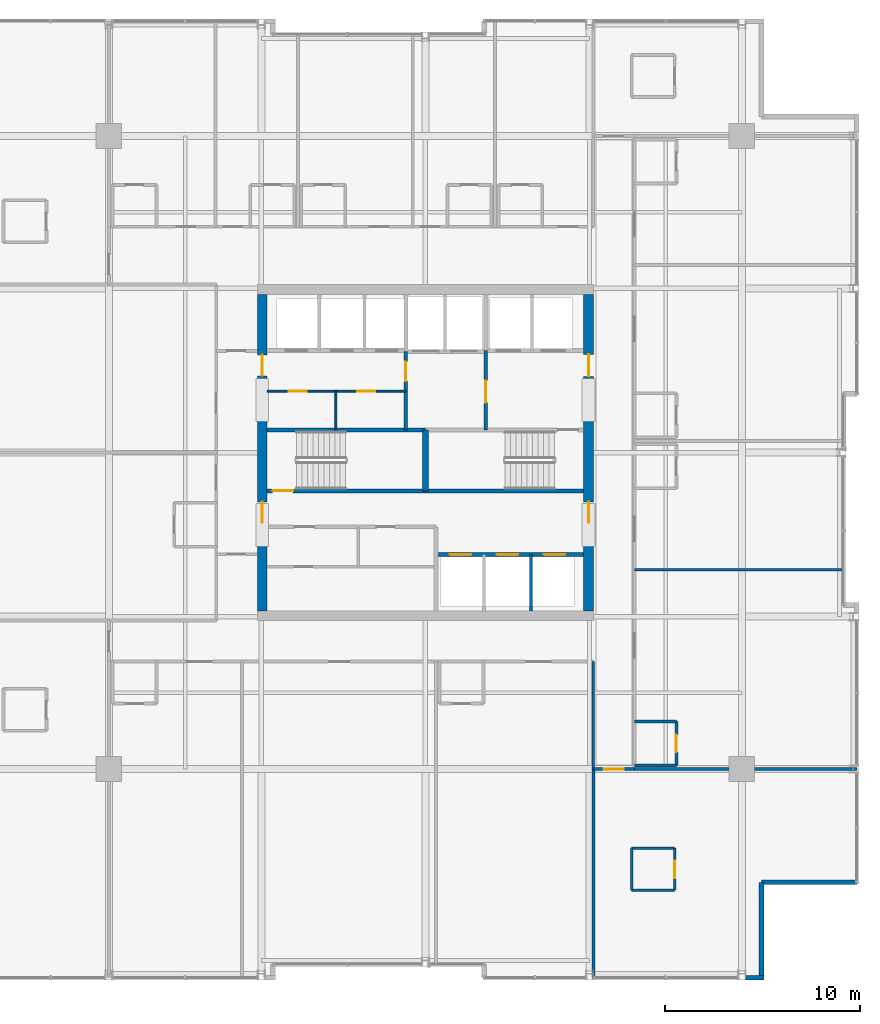
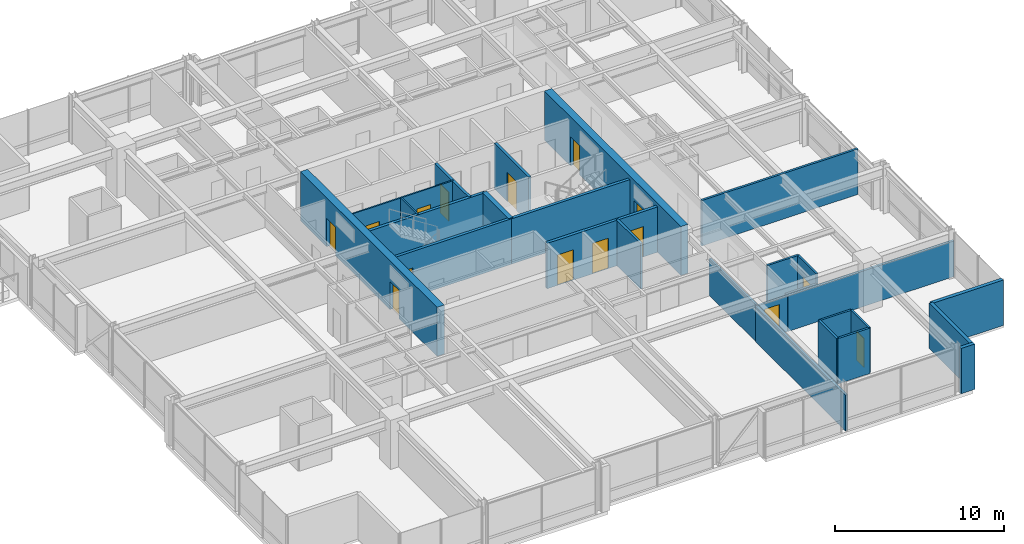
# One storey, part 26 of 32: 27 walls, 15 doors, 15 openings.
"""IFC4 building model written with IfcOpenShell, lengths in metres."""

from ifc_helpers import new_model, si_unit, direction, frame, frame_2d, origin, place, context, subcontext, project, spatial, rectangle, extrude, material, layer, layer_set, type_object, element, fill, save


model = new_model("IFC4")

# Units and contexts
model_context = context("Model", 3, precision=1e-05, world=origin(), true_north=direction((0.0, 1.0)))
body_context = subcontext(model_context, "Body", "Model", "MODEL_VIEW")
ifc_project = project(units=[si_unit("LENGTHUNIT", "METRE"), si_unit("AREAUNIT", "SQUARE_METRE"), si_unit("VOLUMEUNIT", "CUBIC_METRE"), si_unit("PLANEANGLEUNIT", "RADIAN"), si_unit("MASSUNIT", "GRAM", prefix="KILO")], contexts=[model_context])

# Site, building, storey
site_placement = place(None, origin())
site = spatial("IfcSite", under=ifc_project, at=site_placement, CompositionType="ELEMENT")
building_placement = place(site_placement, origin())
building = spatial("IfcBuilding", under=site, at=building_placement, Name="Drelvath Grand Hotel", CompositionType="ELEMENT")
storey_placement = place(building_placement, frame((0.0, 0.0, 182.35009765625)))
storey = spatial("IfcBuildingStorey", under=building, at=storey_placement, Name="L47", CompositionType="ELEMENT", Elevation=182.35009765625)

# Wall, openings, doors
ifc_material_1 = material(Name="Gypsum Partition Board")
ifc_layer_1 = layer(ifc_material_1, 0.10009765625)
ifc_layer_set_1 = layer_set([ifc_layer_1], Name="Gypsum Partition Board")
wall_type_1 = type_object("IfcWallType", Name="Core Closet Partition 100", PredefinedType="PARTITIONING", material=ifc_layer_set_1)
wall_1_placement = place(storey_placement, frame((-8.10009765625, 30.139892578125, 0.0), z_axis=(0.0, 0.0, 1.0), x_axis=(1.0, 0.0, 0.0)))
wall_1 = element("IfcWall", 1, at=wall_1_placement, inside=storey, type_object=wall_type_1, Name="L47 High-Rise Lobby Closet Wall", PredefinedType="PARTITIONING", context=body_context, shape_type="SweptSolid", body=[
    extrude(rectangle(XDim=7.10009765625, YDim=0.10009765625, at=frame_2d((3.550048828125, 0.0))), origin(), (0.0, 0.0, 1.0), 3.289794921875),
])
opening_1_placement = place(wall_1_placement, frame((1.10009765625, 0.0, 0.0)))
opening_1 = element("IfcOpeningElement", 2, at=opening_1_placement, cuts=wall_1, Name="Opening D-T3G4-014", PredefinedType="OPENING", context=body_context, shape_type="SweptSolid", body=[
    extrude(rectangle(XDim=0.919921875, YDim=2.10009765625, at=frame_2d((0.4599609375, 1.050048828125))), frame((0.0, 0.06005859375, 0.0), z_axis=(0.0, -1.0, 0.0), x_axis=(1.0, 0.0, 0.0)), (0.0, 0.0, 1.0), 0.1201171875),
])
opening_2_placement = place(wall_1_placement, frame((4.60009765625, 0.0, 0.0)))
opening_2 = element("IfcOpeningElement", 3, at=opening_2_placement, cuts=wall_1, Name="Opening D-T3G4-015", PredefinedType="OPENING", context=body_context, shape_type="SweptSolid", body=[
    extrude(rectangle(XDim=0.919921875, YDim=2.10009765625, at=frame_2d((0.4599609375, 1.050048828125))), frame((0.0, 0.06005859375, 0.0), z_axis=(0.0, -1.0, 0.0), x_axis=(1.0, 0.0, 0.0)), (0.0, 0.0, 1.0), 0.1201171875),
])
ifc_material_2 = material(Name="Painted Steel S275", Category="steel")
door_type_1 = type_object("IfcDoorType", Name="Staff Utility Door 920x2100", OperationType="NOTDEFINED", PredefinedType="DOOR", material=ifc_material_2)
door_1_placement = place(opening_1_placement, origin())
door_1 = element("IfcDoor", 4, at=door_1_placement, inside=storey, type_object=door_type_1, Name="L47 Electrical Closet Door", OperationType="SINGLE_SWING_LEFT", OverallHeight=2.10009765625, OverallWidth=0.919921875, PredefinedType="DOOR", context=body_context, shape_type="SweptSolid", body=[
    extrude(rectangle(XDim=0.919921875, YDim=2.10009765625, at=frame_2d((0.4599609375, 1.050048828125))), frame((0.0, 0.02490234375, 0.0), z_axis=(0.0, -1.0, 0.0), x_axis=(1.0, 0.0, 0.0)), (0.0, 0.0, 1.0), 0.050048828125),
])
fill(opening_1, door_1)
door_2_placement = place(opening_2_placement, origin())
door_2 = element("IfcDoor", 5, at=door_2_placement, inside=storey, type_object=door_type_1, Name="L47 Telecom Room Door", OperationType="SINGLE_SWING_RIGHT", OverallHeight=2.10009765625, OverallWidth=0.919921875, PredefinedType="DOOR", context=body_context, shape_type="SweptSolid", body=[
    extrude(rectangle(XDim=0.919921875, YDim=2.10009765625, at=frame_2d((0.4599609375, 1.050048828125))), frame((0.0, 0.02490234375, 0.0), z_axis=(0.0, -1.0, 0.0), x_axis=(1.0, 0.0, 0.0)), (0.0, 0.0, 1.0), 0.050048828125),
])
fill(opening_2, door_2)

# Wall
wall_2_placement = place(storey_placement, frame((-4.580078125, 28.159912109375, 0.0), z_axis=(0.0, 0.0, 1.0), x_axis=(0.0, 1.0, 0.0)))
element("IfcWall", 6, at=wall_2_placement, inside=storey, type_object=wall_type_1, Name="L47 Core Closet Split 1", PredefinedType="PARTITIONING", context=body_context, shape_type="SweptSolid", body=[
    extrude(rectangle(XDim=1.97998046875, YDim=0.10009765625, at=frame_2d((0.989990234375, 0.0))), origin(), (0.0, 0.0, 1.0), 3.289794921875),
])

# Wall, openings, doors
ifc_material_3 = material(Name="Concrete C40/50", Category="concrete")
ifc_layer_2 = layer(ifc_material_3, 0.199951171875)
ifc_layer_set_2 = layer_set([ifc_layer_2], Name="Concrete C40/50")
wall_type_2 = type_object("IfcWallType", Name="Core Hoistway Fire Wall 200", PredefinedType="SOLIDWALL", material=ifc_layer_set_2)
wall_3_placement = place(storey_placement, frame((8.10009765625, 21.780029296875, 0.0), z_axis=(0.0, 0.0, 1.0), x_axis=(-1.0, 0.0, 0.0)))
wall_3 = element("IfcWall", 7, at=wall_3_placement, inside=storey, type_object=wall_type_2, Name="L47 Bank 2 Hoistway Wall", PredefinedType="SOLIDWALL", context=body_context, shape_type="SweptSolid", body=[
    extrude(rectangle(XDim=7.550048828125, YDim=0.199951171875, at=frame_2d((3.77490234375, 0.0))), origin(), (0.0, 0.0, 1.0), 3.289794921875),
])
opening_3_placement = place(wall_3_placement, frame((5.75, 0.0, 0.0)))
opening_3 = element("IfcOpeningElement", 8, at=opening_3_placement, cuts=wall_3, Name="Opening LD-PE-4", PredefinedType="OPENING", context=body_context, shape_type="SweptSolid", body=[
    extrude(rectangle(XDim=1.10009765625, YDim=2.199951171875, at=frame_2d((0.550048828125, 1.10009765625))), frame((0.0, 0.10986328125, 0.0), z_axis=(0.0, -1.0, 0.0), x_axis=(1.0, 0.0, 0.0)), (0.0, 0.0, 1.0), 0.219970703125),
])
opening_4_placement = place(wall_3_placement, frame((3.35009765625, 0.0, 0.0)))
opening_4 = element("IfcOpeningElement", 9, at=opening_4_placement, cuts=wall_3, Name="Opening LD-PE-5", PredefinedType="OPENING", context=body_context, shape_type="SweptSolid", body=[
    extrude(rectangle(XDim=1.10009765625, YDim=2.199951171875, at=frame_2d((0.550048828125, 1.10009765625))), frame((0.0, 0.10986328125, 0.0), z_axis=(0.0, -1.0, 0.0), x_axis=(1.0, 0.0, 0.0)), (0.0, 0.0, 1.0), 0.219970703125),
])
opening_5_placement = place(wall_3_placement, frame((0.949951171875, 0.0, 0.0)))
opening_5 = element("IfcOpeningElement", 10, at=opening_5_placement, cuts=wall_3, Name="Opening LD-PE-6", PredefinedType="OPENING", context=body_context, shape_type="SweptSolid", body=[
    extrude(rectangle(XDim=1.10009765625, YDim=2.199951171875, at=frame_2d((0.550048828125, 1.10009765625))), frame((0.0, 0.10986328125, 0.0), z_axis=(0.0, -1.0, 0.0), x_axis=(1.0, 0.0, 0.0)), (0.0, 0.0, 1.0), 0.219970703125),
])
ifc_material_4 = material(Name="Stainless Steel S355", Category="steel")
door_type_2 = type_object("IfcDoorType", Name="Passenger Lift Sliding Landing Door 1100x2200", OperationType="NOTDEFINED", PredefinedType="DOOR", material=ifc_material_4)
door_3_placement = place(opening_3_placement, origin())
door_3 = element("IfcDoor", 11, at=door_3_placement, inside=storey, type_object=door_type_2, Name="L47 Lift PE-4 Landing Door", OperationType="SLIDING_TO_LEFT", OverallHeight=2.199951171875, OverallWidth=1.10009765625, PredefinedType="DOOR", context=body_context, shape_type="SweptSolid", body=[
    extrude(rectangle(XDim=1.10009765625, YDim=2.199951171875, at=frame_2d((0.550048828125, 1.10009765625))), frame((0.0, 0.02490234375, 0.0), z_axis=(0.0, -1.0, 0.0), x_axis=(1.0, 0.0, 0.0)), (0.0, 0.0, 1.0), 0.050048828125),
])
fill(opening_3, door_3)
door_4_placement = place(opening_4_placement, origin())
door_4 = element("IfcDoor", 12, at=door_4_placement, inside=storey, type_object=door_type_2, Name="L47 Lift PE-5 Landing Door", OperationType="SLIDING_TO_LEFT", OverallHeight=2.199951171875, OverallWidth=1.10009765625, PredefinedType="DOOR", context=body_context, shape_type="SweptSolid", body=[
    extrude(rectangle(XDim=1.10009765625, YDim=2.199951171875, at=frame_2d((0.550048828125, 1.10009765625))), frame((0.0, 0.02490234375, 0.0), z_axis=(0.0, -1.0, 0.0), x_axis=(1.0, 0.0, 0.0)), (0.0, 0.0, 1.0), 0.050048828125),
])
fill(opening_4, door_4)
door_5_placement = place(opening_5_placement, origin())
door_5 = element("IfcDoor", 13, at=door_5_placement, inside=storey, type_object=door_type_2, Name="L47 Lift PE-6 Landing Door", OperationType="SLIDING_TO_LEFT", OverallHeight=2.199951171875, OverallWidth=1.10009765625, PredefinedType="DOOR", context=body_context, shape_type="SweptSolid", body=[
    extrude(rectangle(XDim=1.10009765625, YDim=2.199951171875, at=frame_2d((0.550048828125, 1.10009765625))), frame((0.0, 0.02490234375, 0.0), z_axis=(0.0, -1.0, 0.0), x_axis=(1.0, 0.0, 0.0)), (0.0, 0.0, 1.0), 0.050048828125),
])
fill(opening_5, door_5)

# Wall, opening, door
ifc_layer_3 = layer(ifc_material_3, 0.199951171875)
ifc_layer_set_3 = layer_set([ifc_layer_3], Name="Concrete C40/50")
wall_type_3 = type_object("IfcWallType", Name="Core Shaft Fire Wall 200", PredefinedType="SOLIDWALL", material=ifc_layer_set_3)
wall_4_placement = place(storey_placement, frame((-8.10009765625, 25.0400390625, 0.0), z_axis=(0.0, 0.0, 1.0), x_axis=(1.0, 0.0, 0.0)))
wall_4 = element("IfcWall", 14, at=wall_4_placement, inside=storey, type_object=wall_type_3, Name="L47 Stair ST-1 South Wall", PredefinedType="SOLIDWALL", context=body_context, shape_type="SweptSolid", body=[
    extrude(rectangle(XDim=8.10009765625, YDim=0.199951171875, at=frame_2d((4.050048828125, 0.0))), origin(), (0.0, 0.0, 1.0), 3.289794921875),
])
opening_6_placement = place(wall_4_placement, frame((0.280029296875, 0.0, 0.0)))
opening_6 = element("IfcOpeningElement", 15, at=opening_6_placement, cuts=wall_4, Name="Opening D-T3G4-001", PredefinedType="OPENING", context=body_context, shape_type="SweptSolid", body=[
    extrude(rectangle(XDim=1.050048828125, YDim=2.10009765625, at=frame_2d((0.52490234375, 1.050048828125))), frame((0.0, 0.10986328125, 0.0), z_axis=(0.0, -1.0, 0.0), x_axis=(1.0, 0.0, 0.0)), (0.0, 0.0, 1.0), 0.219970703125),
])
door_type_3 = type_object("IfcDoorType", Name="Tower Stairwell Fire Door 1050x2100", OperationType="NOTDEFINED", PredefinedType="DOOR", material=ifc_material_2)
door_6_placement = place(opening_6_placement, origin())
door_6 = element("IfcDoor", 16, at=door_6_placement, inside=storey, type_object=door_type_3, Name="L47 Exit Stair ST-1 Door", OperationType="SINGLE_SWING_LEFT", OverallHeight=2.10009765625, OverallWidth=1.050048828125, PredefinedType="DOOR", context=body_context, shape_type="SweptSolid", body=[
    extrude(rectangle(XDim=1.050048828125, YDim=2.10009765625, at=frame_2d((0.52490234375, 1.050048828125))), frame((0.0, 0.02490234375, 0.0), z_axis=(0.0, -1.0, 0.0), x_axis=(1.0, 0.0, 0.0)), (0.0, 0.0, 1.0), 0.050048828125),
])
fill(opening_6, door_6)

# Walls
for number, where, z_axis, x_axis, name in (
    (17, (-8.10009765625, 28.159912109375, 0.0), (0.0, 0.0, 1.0), (1.0, 0.0, 0.0), "L47 Stair ST-1 North Wall"),
    (18, (0.0, 25.0400390625, 0.0), (0.0, 0.0, 1.0), (1.0, 0.0, 0.0), "L47 Stair ST-2 South Wall"),
):
    element("IfcWall", number, at=place(storey_placement, frame(where, z_axis=z_axis, x_axis=x_axis)), inside=storey, type_object=wall_type_3, Name=name, PredefinedType="SOLIDWALL", context=body_context, shape_type="SweptSolid", body=[
        extrude(rectangle(XDim=8.10009765625, YDim=0.199951171875, at=frame_2d((4.050048828125, 0.0))), origin(), (0.0, 0.0, 1.0), 3.289794921875),
    ])
ifc_layer_4 = layer(ifc_material_3, 0.300048828125)
ifc_layer_set_4 = layer_set([ifc_layer_4], Name="Concrete C40/50")
wall_type_4 = type_object("IfcWallType", Name="Core Shaft Fire Wall 300", PredefinedType="SOLIDWALL", material=ifc_layer_set_4)
wall_5_placement = place(storey_placement, frame((0.0, 25.0400390625, 0.0), z_axis=(0.0, 0.0, 1.0), x_axis=(0.0, 1.0, 0.0)))
element("IfcWall", 19, at=wall_5_placement, inside=storey, type_object=wall_type_4, Name="L47 Core Stair Divider Wall", PredefinedType="SOLIDWALL", context=body_context, shape_type="SweptSolid", body=[
    extrude(rectangle(XDim=3.119873046875, YDim=0.300048828125, at=frame_2d((1.56005859375, 0.0))), origin(), (0.0, 0.0, 1.0), 3.289794921875),
])
ifc_material_5 = material(Name="Gypsum Fireboard Partition")
ifc_layer_5 = layer(ifc_material_5, 0.1650390625)
ifc_layer_set_5 = layer_set([ifc_layer_5], Name="Gypsum Fireboard Partition")
wall_type_5 = type_object("IfcWallType", Name="Core Shaft Partition 165", PredefinedType="PARTITIONING", material=ifc_layer_set_5)
wall_6_placement = place(storey_placement, frame((5.39990234375, 18.89990234375, 0.0), z_axis=(0.0, 0.0, 1.0), x_axis=(0.0, 1.0, 0.0)))
element("IfcWall", 20, at=wall_6_placement, inside=storey, type_object=wall_type_5, Name="L47 Lift PE-5/6 Divider", PredefinedType="PARTITIONING", context=body_context, shape_type="SweptSolid", body=[
    extrude(rectangle(XDim=2.880126953125, YDim=0.1650390625, at=frame_2d((1.43994140625, 0.0))), origin(), (0.0, 0.0, 1.0), 3.289794921875),
])
ifc_layer_6 = layer(ifc_material_5, 0.135009765625)
ifc_layer_set_6 = layer_set([ifc_layer_6], Name="Gypsum Fireboard Partition")
wall_type_6 = type_object("IfcWallType", Name="Corridor Fire Barrier Wall 135", PredefinedType="PARTITIONING", material=ifc_layer_set_6)
wall_7_placement = place(storey_placement, frame((8.60009765625, 10.800048828125, 0.0), z_axis=(0.0, 0.0, 1.0), x_axis=(0.0, 1.0, 0.0)))
element("IfcWall", 21, at=wall_7_placement, inside=storey, type_object=wall_type_6, Name="L47 East Spine South Inner Wall", PredefinedType="PARTITIONING", context=body_context, shape_type="SweptSolid", body=[
    extrude(rectangle(XDim=5.5, YDim=0.135009765625, at=frame_2d((2.75, 0.0))), origin(), (0.0, 0.0, 1.0), 2.667236328125),
])

# Wall, opening, door
wall_8_placement = place(storey_placement, frame((8.60009765625, 10.800048828125, 0.0), z_axis=(0.0, 0.0, 1.0), x_axis=(1.0, 0.0, 0.0)))
wall_8 = element("IfcWall", 22, at=wall_8_placement, inside=storey, type_object=wall_type_6, Name="L47 East Spine South End", PredefinedType="PARTITIONING", context=body_context, shape_type="SweptSolid", body=[
    extrude(rectangle(XDim=2.099853515625, YDim=0.135009765625, at=frame_2d((1.0498046875, 0.0))), origin(), (0.0, 0.0, 1.0), 2.579345703125),
])
opening_7_placement = place(wall_8_placement, frame((0.52001953125, 0.0, 0.0)))
opening_7 = element("IfcOpeningElement", 23, at=opening_7_placement, cuts=wall_8, Name="Opening D-T3G4-031", PredefinedType="OPENING", context=body_context, shape_type="SweptSolid", body=[
    extrude(rectangle(XDim=1.02001953125, YDim=2.14990234375, at=frame_2d((0.510009765625, 1.074951171875))), frame((0.0, 0.077392578125, 0.0), z_axis=(0.0, -1.0, 0.0), x_axis=(1.0, 0.0, 0.0)), (0.0, 0.0, 1.0), 0.155029296875),
])
ifc_material_6 = material(Name="Hardwood Walnut Timber", Category="wood")
door_type_4 = type_object("IfcDoorType", Name="Amenity Meeting Fire Door 1020x2150", OperationType="NOTDEFINED", PredefinedType="DOOR", material=ifc_material_6)
door_7_placement = place(opening_7_placement, origin())
door_7 = element("IfcDoor", 24, at=door_7_placement, inside=storey, type_object=door_type_4, Name="L47 Executive Suite Entry Door", OperationType="SINGLE_SWING_LEFT", OverallHeight=2.14990234375, OverallWidth=1.02001953125, PredefinedType="DOOR", context=body_context, shape_type="SweptSolid", body=[
    extrude(rectangle(XDim=1.02001953125, YDim=2.14990234375, at=frame_2d((0.510009765625, 1.074951171875))), frame((0.0, 0.02490234375, 0.0), z_axis=(0.0, -1.0, 0.0), x_axis=(1.0, 0.0, 0.0)), (0.0, 0.0, 1.0), 0.050048828125),
])
fill(opening_7, door_7)

# Walls
ifc_material_7 = material(Name="Moisture-Resistant Gypsum Board")
ifc_layer_7 = layer(ifc_material_7, 0.139892578125)
ifc_layer_set_7 = layer_set([ifc_layer_7], Name="Moisture-Resistant Gypsum Board")
wall_type_7 = type_object("IfcWallType", Name="En-Suite Plumbing Wall 140", PredefinedType="PLUMBINGWALL", material=ifc_layer_set_7)
for number, where, z_axis, x_axis, name in (
    (25, (10.56005859375, 4.60009765625, 0.0), (0.0, 0.0, 1.0), (1.0, 0.0, 0.0), "L47 Corner En-Suite South"),
    (26, (10.56005859375, 6.75, 0.0), (0.0, 0.0, 1.0), (1.0, 0.0, 0.0), "L47 Corner En-Suite North"),
):
    element("IfcWall", number, at=place(storey_placement, frame(where, z_axis=z_axis, x_axis=x_axis)), inside=storey, type_object=wall_type_7, Name=name, PredefinedType="PLUMBINGWALL", context=body_context, shape_type="SweptSolid", body=[
        extrude(rectangle(XDim=2.199951171875, YDim=0.139892578125, at=frame_2d((1.10009765625, 0.0))), origin(), (0.0, 0.0, 1.0), 3.289794921875),
    ])
wall_9_placement = place(storey_placement, frame((10.56005859375, 4.60009765625, 0.0), z_axis=(0.0, 0.0, 1.0), x_axis=(0.0, 1.0, 0.0)))
element("IfcWall", 27, at=wall_9_placement, inside=storey, type_object=wall_type_7, Name="L47 Corner En-Suite West", PredefinedType="PLUMBINGWALL", context=body_context, shape_type="SweptSolid", body=[
    extrude(rectangle(XDim=2.14990234375, YDim=0.139892578125, at=frame_2d((1.074951171875, 0.0))), origin(), (0.0, 0.0, 1.0), 3.289794921875),
])

# Wall, opening, door
wall_10_placement = place(storey_placement, frame((12.760009765625, 4.60009765625, 0.0), z_axis=(0.0, 0.0, 1.0), x_axis=(0.0, 1.0, 0.0)))
wall_10 = element("IfcWall", 28, at=wall_10_placement, inside=storey, type_object=wall_type_7, Name="L47 Corner En-Suite East", PredefinedType="PLUMBINGWALL", context=body_context, shape_type="SweptSolid", body=[
    extrude(rectangle(XDim=2.14990234375, YDim=0.139892578125, at=frame_2d((1.074951171875, 0.0))), origin(), (0.0, 0.0, 1.0), 3.289794921875),
])
opening_8_placement = place(wall_10_placement, frame((0.6201171875, 0.0, 0.0)))
opening_8 = element("IfcOpeningElement", 29, at=opening_8_placement, cuts=wall_10, Name="Opening D-T3G4-030", PredefinedType="OPENING", context=body_context, shape_type="SweptSolid", body=[
    extrude(rectangle(XDim=0.8798828125, YDim=2.10009765625, at=frame_2d((0.43994140625, 1.050048828125))), frame((0.0, 0.079833984375, 0.0), z_axis=(0.0, -1.0, 0.0), x_axis=(1.0, 0.0, 0.0)), (0.0, 0.0, 1.0), 0.159912109375),
])
door_type_5 = type_object("IfcDoorType", Name="En-Suite Bathroom Door 880x2100", OperationType="NOTDEFINED", PredefinedType="DOOR", material=ifc_material_6)
door_8_placement = place(opening_8_placement, origin())
door_8 = element("IfcDoor", 30, at=door_8_placement, inside=storey, type_object=door_type_5, Name="L47 Corner En-Suite Door", OperationType="SINGLE_SWING_RIGHT", OverallHeight=2.10009765625, OverallWidth=0.8798828125, PredefinedType="DOOR", context=body_context, shape_type="SweptSolid", body=[
    extrude(rectangle(XDim=0.8798828125, YDim=2.10009765625, at=frame_2d((0.43994140625, 1.050048828125))), frame((0.0, 0.02490234375, 0.0), z_axis=(0.0, -1.0, 0.0), x_axis=(1.0, 0.0, 0.0)), (0.0, 0.0, 1.0), 0.050048828125),
])
fill(opening_8, door_8)

# Walls
wall_11_placement = place(storey_placement, frame((10.699951171875, 10.97998046875, 0.0), z_axis=(0.0, 0.0, 1.0), x_axis=(1.0, 0.0, 0.0)))
element("IfcWall", 31, at=wall_11_placement, inside=storey, type_object=wall_type_7, Name="L47 En-Suite Left Wall", PredefinedType="PLUMBINGWALL", context=body_context, shape_type="SweptSolid", body=[
    extrude(rectangle(XDim=2.150146484375, YDim=0.139892578125, at=frame_2d((1.0751953125, 0.0))), origin(), (0.0, 0.0, 1.0), 2.579345703125),
])
wall_12_placement = place(storey_placement, frame((10.699951171875, 13.22998046875, 0.0), z_axis=(0.0, 0.0, 1.0), x_axis=(1.0, 0.0, 0.0)))
element("IfcWall", 32, at=wall_12_placement, inside=storey, type_object=wall_type_7, Name="L47 En-Suite Right Wall", PredefinedType="PLUMBINGWALL", context=body_context, shape_type="SweptSolid", body=[
    extrude(rectangle(XDim=2.150146484375, YDim=0.139892578125, at=frame_2d((1.0751953125, 0.0))), origin(), (0.0, 0.0, 1.0), 3.289794921875),
])

# Wall, opening, door
wall_13_placement = place(storey_placement, frame((12.85009765625, 10.97998046875, 0.0), z_axis=(0.0, 0.0, 1.0), x_axis=(0.0, 1.0, 0.0)))
wall_13 = element("IfcWall", 33, at=wall_13_placement, inside=storey, type_object=wall_type_7, Name="L47 En-Suite Front Wall", PredefinedType="PLUMBINGWALL", context=body_context, shape_type="SweptSolid", body=[
    extrude(rectangle(XDim=2.25, YDim=0.139892578125, at=frame_2d((1.125, 0.0))), origin(), (0.0, 0.0, 1.0), 3.289794921875),
])
opening_9_placement = place(wall_13_placement, frame((0.68505859375, 0.0, 0.0)))
opening_9 = element("IfcOpeningElement", 34, at=opening_9_placement, cuts=wall_13, Name="Opening D-T3G4-049", PredefinedType="OPENING", context=body_context, shape_type="SweptSolid", body=[
    extrude(rectangle(XDim=0.8798828125, YDim=2.10009765625, at=frame_2d((0.43994140625, 1.050048828125))), frame((0.0, 0.079833984375, 0.0), z_axis=(0.0, -1.0, 0.0), x_axis=(1.0, 0.0, 0.0)), (0.0, 0.0, 1.0), 0.159912109375),
])
door_9_placement = place(opening_9_placement, origin())
door_9 = element("IfcDoor", 35, at=door_9_placement, inside=storey, type_object=door_type_5, Name="L47 En-Suite Bathroom Door", OperationType="SINGLE_SWING_LEFT", OverallHeight=2.10009765625, OverallWidth=0.8798828125, PredefinedType="DOOR", context=body_context, shape_type="SweptSolid", body=[
    extrude(rectangle(XDim=0.8798828125, YDim=2.10009765625, at=frame_2d((0.43994140625, 1.050048828125))), frame((0.0, 0.02490234375, 0.0), z_axis=(0.0, -1.0, 0.0), x_axis=(1.0, 0.0, 0.0)), (0.0, 0.0, 1.0), 0.050048828125),
])
fill(opening_9, door_9)

ifc_layer_8 = layer(ifc_material_5, 0.179931640625)
ifc_layer_set_8 = layer_set([ifc_layer_8], Name="Gypsum Fireboard Partition")
wall_type_8 = type_object("IfcWallType", Name="FSAE Smoke Lobby Fire Wall 180", PredefinedType="SOLIDWALL", material=ifc_layer_set_8)
wall_14_placement = place(storey_placement, frame((3.10009765625, 28.159912109375, 0.0), z_axis=(0.0, 0.0, 1.0), x_axis=(0.0, 1.0, 0.0)))
wall_14 = element("IfcWall", 36, at=wall_14_placement, inside=storey, type_object=wall_type_8, Name="L47 FSAE Smoke Lobby West Wall", PredefinedType="SOLIDWALL", context=body_context, shape_type="SweptSolid", body=[
    extrude(rectangle(XDim=4.06005859375, YDim=0.179931640625, at=frame_2d((2.030029296875, 0.0))), origin(), (0.0, 0.0, 1.0), 3.289794921875),
])
opening_10_placement = place(wall_14_placement, frame((1.39990234375, 0.0, 0.0)))
opening_10 = element("IfcOpeningElement", 37, at=opening_10_placement, cuts=wall_14, Name="Opening D-T3G4-005", PredefinedType="OPENING", context=body_context, shape_type="SweptSolid", body=[
    extrude(rectangle(XDim=1.1201171875, YDim=2.10009765625, at=frame_2d((0.56005859375, 1.050048828125))), frame((0.0, 0.099853515625, 0.0), z_axis=(0.0, -1.0, 0.0), x_axis=(1.0, 0.0, 0.0)), (0.0, 0.0, 1.0), 0.199951171875),
])
door_type_6 = type_object("IfcDoorType", Name="FSAE Smoke Lobby Fire Door 1120x2100", OperationType="NOTDEFINED", PredefinedType="DOOR", material=ifc_material_2)
door_10_placement = place(opening_10_placement, origin())
door_10 = element("IfcDoor", 38, at=door_10_placement, inside=storey, type_object=door_type_6, Name="L47 FSAE Lobby Service Vestibule Door", OperationType="SINGLE_SWING_RIGHT", OverallHeight=2.10009765625, OverallWidth=1.1201171875, PredefinedType="DOOR", context=body_context, shape_type="SweptSolid", body=[
    extrude(rectangle(XDim=1.1201171875, YDim=2.10009765625, at=frame_2d((0.56005859375, 1.050048828125))), frame((0.0, 0.02490234375, 0.0), z_axis=(0.0, -1.0, 0.0), x_axis=(1.0, 0.0, 0.0)), (0.0, 0.0, 1.0), 0.050048828125),
])
fill(opening_10, door_10)

wall_15_placement = place(storey_placement, frame((-1.0, 28.159912109375, 0.0), z_axis=(0.0, 0.0, 1.0), x_axis=(0.0, 1.0, 0.0)))
wall_15 = element("IfcWall", 39, at=wall_15_placement, inside=storey, type_object=wall_type_8, Name="L47 Service Vestibule West Wall", PredefinedType="SOLIDWALL", context=body_context, shape_type="SweptSolid", body=[
    extrude(rectangle(XDim=4.02001953125, YDim=0.179931640625, at=frame_2d((2.010009765625, 0.0))), origin(), (0.0, 0.0, 1.0), 3.289794921875),
])
opening_11_placement = place(wall_15_placement, frame((2.489990234375, 0.0, 0.0)))
opening_11 = element("IfcOpeningElement", 40, at=opening_11_placement, cuts=wall_15, Name="Opening D-T3G4-009", PredefinedType="OPENING", context=body_context, shape_type="SweptSolid", body=[
    extrude(rectangle(XDim=1.0, YDim=2.10009765625, at=frame_2d((0.5, 1.050048828125))), frame((0.0, 0.099853515625, 0.0), z_axis=(0.0, -1.0, 0.0), x_axis=(1.0, 0.0, 0.0)), (0.0, 0.0, 1.0), 0.199951171875),
])
door_type_7 = type_object("IfcDoorType", Name="Core Service Fire Door 1000x2100", OperationType="NOTDEFINED", PredefinedType="DOOR", material=ifc_material_2)
door_11_placement = place(opening_11_placement, origin())
door_11 = element("IfcDoor", 41, at=door_11_placement, inside=storey, type_object=door_type_7, Name="L47 Service Vestibule West Door", OperationType="SINGLE_SWING_LEFT", OverallHeight=2.10009765625, OverallWidth=1.0, PredefinedType="DOOR", context=body_context, shape_type="SweptSolid", body=[
    extrude(rectangle(XDim=1.0, YDim=2.10009765625, at=frame_2d((0.5, 1.050048828125))), frame((0.0, 0.02490234375, 0.0), z_axis=(0.0, -1.0, 0.0), x_axis=(1.0, 0.0, 0.0)), (0.0, 0.0, 1.0), 0.050048828125),
])
fill(opening_11, door_11)

# Walls
ifc_material_8 = material(Name="Gypsum Acoustic Partition")
ifc_layer_9 = layer(ifc_material_8, 0.14990234375)
ifc_layer_set_9 = layer_set([ifc_layer_9], Name="Gypsum Acoustic Partition")
wall_type_9 = type_object("IfcWallType", Name="Guestroom Demising Wall 150", PredefinedType="PARTITIONING", material=ifc_layer_set_9)
wall_16_placement = place(storey_placement, frame((10.699951171875, 21.0, 0.0), z_axis=(0.0, 0.0, 1.0), x_axis=(1.0, 0.0, 0.0)))
element("IfcWall", 42, at=wall_16_placement, inside=storey, type_object=wall_type_9, Name="L47 East Demising 1", PredefinedType="PARTITIONING", context=body_context, shape_type="SweptSolid", body=[
    extrude(rectangle(XDim=10.699951171875, YDim=0.14990234375, at=frame_2d((5.35009765625, 0.0))), origin(), (0.0, 0.0, 1.0), 3.289794921875),
])
ifc_layer_10 = layer(ifc_material_8, 0.1650390625)
ifc_layer_set_10 = layer_set([ifc_layer_10], Name="Gypsum Acoustic Partition")
wall_type_10 = type_object("IfcWallType", Name="Suite Demising Wall 165", PredefinedType="PARTITIONING", material=ifc_layer_set_10)
wall_17_placement = place(storey_placement, frame((8.60009765625, 0.1201171875, 0.0), z_axis=(0.0, 0.0, 1.0), x_axis=(0.0, 1.0, 0.0)))
element("IfcWall", 43, at=wall_17_placement, inside=storey, type_object=wall_type_10, Name="L47 SE Suite West Wall", PredefinedType="PARTITIONING", context=body_context, shape_type="SweptSolid", body=[
    extrude(rectangle(XDim=10.679931640625, YDim=0.1650390625, at=frame_2d((5.33984375, 0.0))), origin(), (0.0, 0.0, 1.0), 2.579345703125),
])
wall_18_placement = place(storey_placement, frame((10.699951171875, 10.800048828125, 0.0), z_axis=(0.0, 0.0, 1.0), x_axis=(1.0, 0.0, 0.0)))
element("IfcWall", 44, at=wall_18_placement, inside=storey, type_object=wall_type_10, Name="L47 SE Suite North Wall", PredefinedType="PARTITIONING", context=body_context, shape_type="SweptSolid", body=[
    extrude(rectangle(XDim=11.380126953125, YDim=0.1650390625, at=frame_2d((5.68994140625, 0.0))), origin(), (0.0, 0.0, 1.0), 2.579345703125),
])
ifc_material_9 = material(Name="Pale-Metal Insulated Aluminium Spandrel Assembly", Category="aluminium")
ifc_layer_11 = layer(ifc_material_9, 0.239990234375)
ifc_layer_set_11 = layer_set([ifc_layer_11], Name="Pale-Metal Insulated Aluminium Spandrel Assembly")
wall_type_11 = type_object("IfcWallType", Name="Tower Insulated Metal Spandrel Closure Wall 240", PredefinedType="STANDARD", material=ifc_layer_set_11)
wall_19_placement = place(storey_placement, frame((17.320068359375, 0.1201171875, 0.0), z_axis=(0.0, 0.0, 1.0), x_axis=(-1.0, 0.0, 0.0)))
element("IfcWall", 45, at=wall_19_placement, inside=storey, type_object=wall_type_11, Name="L47 Corner Pier Spandrel Wall SE3", PredefinedType="STANDARD", context=body_context, shape_type="SweptSolid", body=[
    extrude(rectangle(XDim=0.928466796875, YDim=0.239990234375, at=frame_2d((0.46435546875, 0.0))), origin(), (0.0, 0.0, 1.0), 3.289794921875),
])
wall_20_placement = place(storey_placement, frame((22.080078125, 5.0, 0.0), z_axis=(0.0, 0.0, 1.0), x_axis=(-1.0, 0.0, 0.0)))
element("IfcWall", 46, at=wall_20_placement, inside=storey, type_object=wall_type_11, Name="L47 Notched Corner Return Spandrel Wall CSE1", PredefinedType="STANDARD", context=body_context, shape_type="SweptSolid", body=[
    extrude(rectangle(XDim=4.880126953125, YDim=0.239990234375, at=frame_2d((2.43994140625, 0.0))), origin(), (0.0, 0.0, 1.0), 3.289794921875),
])
wall_21_placement = place(storey_placement, frame((17.199951171875, 5.0, 0.0), z_axis=(0.0, 0.0, 1.0), x_axis=(0.0, -1.0, 0.0)))
element("IfcWall", 47, at=wall_21_placement, inside=storey, type_object=wall_type_11, Name="L47 Notched Corner Return Spandrel Wall CSE2", PredefinedType="STANDARD", context=body_context, shape_type="SweptSolid", body=[
    extrude(rectangle(XDim=4.760009765625, YDim=0.239990234375, at=frame_2d((2.3798828125, 0.0))), origin(), (0.0, 0.0, 1.0), 3.289794921875),
])

# Wall, openings, doors
ifc_material_10 = material(Name="Concrete f'c 55 MPa", Category="concrete")
ifc_layer_12 = layer(ifc_material_10, 0.5)
ifc_layer_set_12 = layer_set([ifc_layer_12], Name="Concrete f'c 55 MPa")
wall_type_12 = type_object("IfcWallType", Name="Upper Core RC Shear Wall 500", PredefinedType="SHEAR", material=ifc_layer_set_12)
wall_22_placement = place(storey_placement, frame((8.35009765625, 35.10009765625, 0.0), z_axis=(0.0, 0.0, 1.0), x_axis=(0.0, -1.0, 0.0)))
wall_22 = element("IfcWall", 48, at=wall_22_placement, inside=storey, type_object=wall_type_12, Name="L47 Central Core Shear Wall E", PredefinedType="SHEAR", context=body_context, shape_type="SweptSolid", body=[
    extrude(rectangle(XDim=16.2001953125, YDim=0.5, at=frame_2d((8.10009765625, 0.0))), origin(), (0.0, 0.0, 1.0), 3.5498046875),
])
opening_12_placement = place(wall_22_placement, frame((3.080078125, 0.0, 0.0)))
opening_12 = element("IfcOpeningElement", 49, at=opening_12_placement, cuts=wall_22, Name="Opening D-T3G4-006", PredefinedType="OPENING", context=body_context, shape_type="SweptSolid", body=[
    extrude(rectangle(XDim=1.1201171875, YDim=2.10009765625, at=frame_2d((0.56005859375, 1.050048828125))), frame((0.0, 0.260009765625, 0.0), z_axis=(0.0, -1.0, 0.0), x_axis=(1.0, 0.0, 0.0)), (0.0, 0.0, 1.0), 0.52001953125),
])
opening_13_placement = place(wall_22_placement, frame((10.6201171875, 0.0, 0.0)))
opening_13 = element("IfcOpeningElement", 50, at=opening_13_placement, cuts=wall_22, Name="Opening D-T3G4-020", PredefinedType="OPENING", context=body_context, shape_type="SweptSolid", body=[
    extrude(rectangle(XDim=1.080078125, YDim=2.0400390625, at=frame_2d((0.5400390625, 1.02001953125))), frame((0.0, 0.260009765625, 0.0), z_axis=(0.0, -1.0, 0.0), x_axis=(1.0, 0.0, 0.0)), (0.0, 0.0, 1.0), 0.52001953125),
])
door_type_8 = type_object("IfcDoorType", Name="Core Corridor Fire Door 1080x2100", OperationType="NOTDEFINED", PredefinedType="DOOR", material=ifc_material_2)
door_12_placement = place(opening_13_placement, origin())
door_12 = element("IfcDoor", 51, at=door_12_placement, inside=storey, type_object=door_type_8, Name="L47 Mid-Rise Lobby East Door", OperationType="SINGLE_SWING_RIGHT", OverallHeight=2.0400390625, OverallWidth=1.080078125, PredefinedType="DOOR", context=body_context, shape_type="SweptSolid", body=[
    extrude(rectangle(XDim=1.080078125, YDim=2.0400390625, at=frame_2d((0.5400390625, 1.02001953125))), frame((0.0, 0.02490234375, 0.0), z_axis=(0.0, -1.0, 0.0), x_axis=(1.0, 0.0, 0.0)), (0.0, 0.0, 1.0), 0.050048828125),
])
fill(opening_13, door_12)
door_13_placement = place(opening_12_placement, origin())
door_13 = element("IfcDoor", 52, at=door_13_placement, inside=storey, type_object=door_type_6, Name="L47 FSAE Lobby East Corridor Door", OperationType="SINGLE_SWING_LEFT", OverallHeight=2.10009765625, OverallWidth=1.1201171875, PredefinedType="DOOR", context=body_context, shape_type="SweptSolid", body=[
    extrude(rectangle(XDim=1.1201171875, YDim=2.10009765625, at=frame_2d((0.56005859375, 1.050048828125))), frame((0.0, 0.02490234375, 0.0), z_axis=(0.0, -1.0, 0.0), x_axis=(1.0, 0.0, 0.0)), (0.0, 0.0, 1.0), 0.050048828125),
])
fill(opening_12, door_13)

wall_23_placement = place(storey_placement, frame((-8.35009765625, 18.89990234375, 0.0), z_axis=(0.0, 0.0, 1.0), x_axis=(0.0, 1.0, 0.0)))
wall_23 = element("IfcWall", 53, at=wall_23_placement, inside=storey, type_object=wall_type_12, Name="L47 Central Core Shear Wall W", PredefinedType="SHEAR", context=body_context, shape_type="SweptSolid", body=[
    extrude(rectangle(XDim=16.2001953125, YDim=0.5, at=frame_2d((8.10009765625, 0.0))), origin(), (0.0, 0.0, 1.0), 3.5498046875),
])
opening_14_placement = place(wall_23_placement, frame((12.02001953125, 0.0, 0.0)))
opening_14 = element("IfcOpeningElement", 54, at=opening_14_placement, cuts=wall_23, Name="Opening D-T3G4-013", PredefinedType="OPENING", context=body_context, shape_type="SweptSolid", body=[
    extrude(rectangle(XDim=1.080078125, YDim=2.0400390625, at=frame_2d((0.5400390625, 1.02001953125))), frame((0.0, 0.260009765625, 0.0), z_axis=(0.0, -1.0, 0.0), x_axis=(1.0, 0.0, 0.0)), (0.0, 0.0, 1.0), 0.52001953125),
])
opening_15_placement = place(wall_23_placement, frame((4.5, 0.0, 0.0)))
opening_15 = element("IfcOpeningElement", 55, at=opening_15_placement, cuts=wall_23, Name="Opening D-T3G4-019", PredefinedType="OPENING", context=body_context, shape_type="SweptSolid", body=[
    extrude(rectangle(XDim=1.080078125, YDim=2.0400390625, at=frame_2d((0.5400390625, 1.02001953125))), frame((0.0, 0.260009765625, 0.0), z_axis=(0.0, -1.0, 0.0), x_axis=(1.0, 0.0, 0.0)), (0.0, 0.0, 1.0), 0.52001953125),
])
door_14_placement = place(opening_14_placement, origin())
door_14 = element("IfcDoor", 56, at=door_14_placement, inside=storey, type_object=door_type_8, Name="L47 High-Rise Lift Lobby West Door", OperationType="SINGLE_SWING_RIGHT", OverallHeight=2.0400390625, OverallWidth=1.080078125, PredefinedType="DOOR", context=body_context, shape_type="SweptSolid", body=[
    extrude(rectangle(XDim=1.080078125, YDim=2.0400390625, at=frame_2d((0.5400390625, 1.02001953125))), frame((0.0, 0.02490234375, 0.0), z_axis=(0.0, -1.0, 0.0), x_axis=(1.0, 0.0, 0.0)), (0.0, 0.0, 1.0), 0.050048828125),
])
fill(opening_14, door_14)
door_15_placement = place(opening_15_placement, origin())
door_15 = element("IfcDoor", 57, at=door_15_placement, inside=storey, type_object=door_type_8, Name="L47 Mid-Rise Lobby West Door", OperationType="SINGLE_SWING_LEFT", OverallHeight=2.0400390625, OverallWidth=1.080078125, PredefinedType="DOOR", context=body_context, shape_type="SweptSolid", body=[
    extrude(rectangle(XDim=1.080078125, YDim=2.0400390625, at=frame_2d((0.5400390625, 1.02001953125))), frame((0.0, 0.02490234375, 0.0), z_axis=(0.0, -1.0, 0.0), x_axis=(1.0, 0.0, 0.0)), (0.0, 0.0, 1.0), 0.050048828125),
])
fill(opening_15, door_15)

save(model, "model.ifc")
